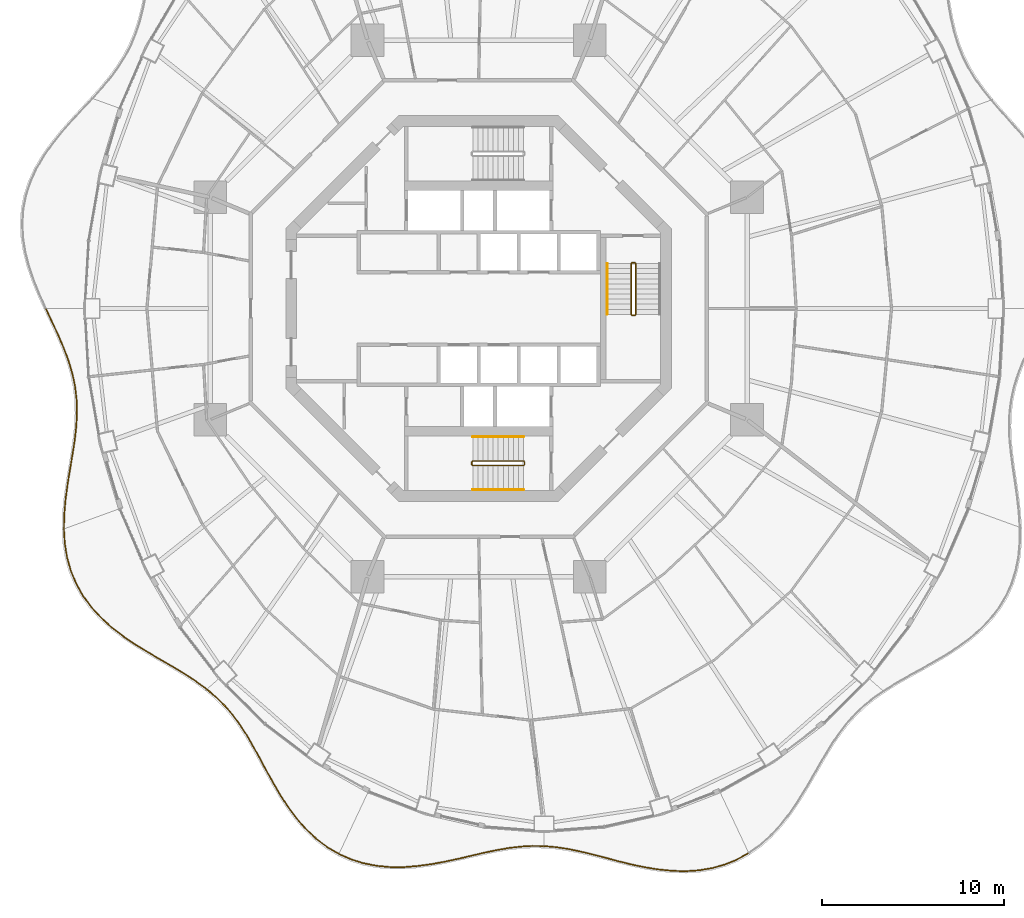
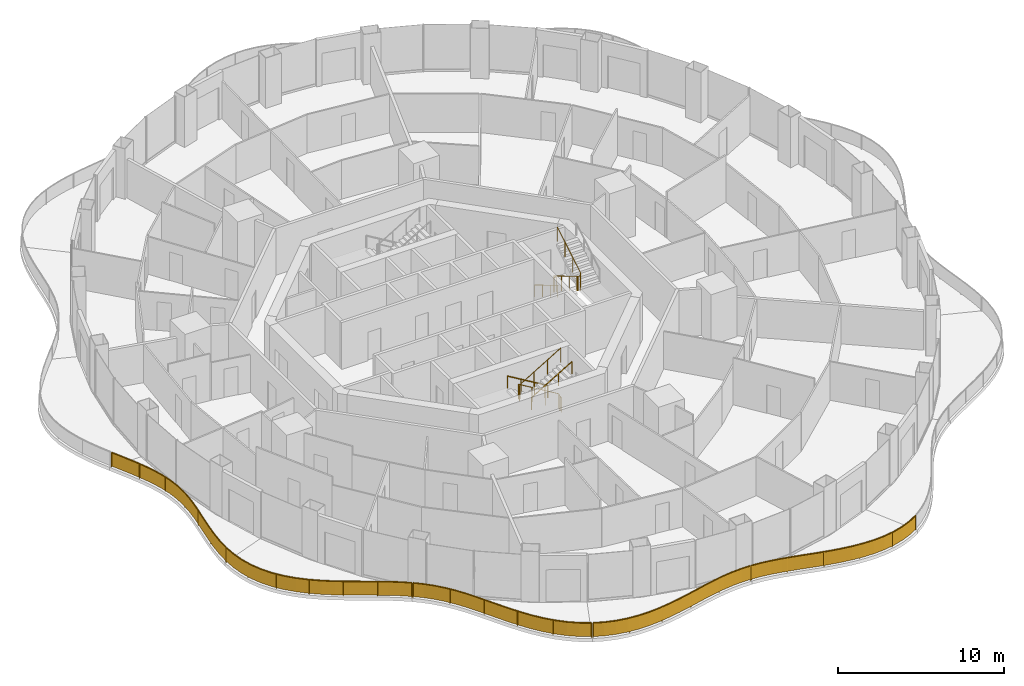
# One storey, part 17 of 19: 10 railings.
"""IFC4 building model written with IfcOpenShell, lengths in metres."""

from ifc_helpers import new_model, si_unit, direction, frame, origin, origin_2d, place, context, subcontext, project, spatial, polyline, rectangle, circle, outline, extrude, material, type_object, element, save


model = new_model("IFC4")

# Units and contexts
model_context = context("Model", 3, precision=1e-05, world=origin(), true_north=direction((0.0, 1.0)))
body_context = subcontext(model_context, "Body", "Model", "MODEL_VIEW")
ifc_project = project(units=[si_unit("LENGTHUNIT", "METRE"), si_unit("AREAUNIT", "SQUARE_METRE"), si_unit("VOLUMEUNIT", "CUBIC_METRE"), si_unit("PLANEANGLEUNIT", "RADIAN"), si_unit("MASSUNIT", "GRAM", prefix="KILO")], contexts=[model_context])

# Site, building, storey
site_placement = place(None, origin())
site = spatial("IfcSite", under=ifc_project, at=site_placement, CompositionType="ELEMENT")
building_placement = place(site_placement, origin())
building = spatial("IfcBuilding", under=site, at=building_placement, Name="Nagisa Residences", CompositionType="ELEMENT")
storey_placement = place(building_placement, frame((0.0, 0.0, 188.10009765625)))
storey = spatial("IfcBuildingStorey", under=building, at=storey_placement, Name="L47", CompositionType="ELEMENT", Elevation=188.10009765625)

# Railings
ifc_material_1 = material(Name="Stainless steel 316", Category="steel")
railing_type_1 = type_object("IfcRailingType", Name="BALCONY GUARD 1100", PredefinedType="BALUSTRADE", material=ifc_material_1)
railing_1_placement = place(storey_placement, frame((-23.831298828125, -0.0341796875, 0.0)))
element("IfcRailing", 1, at=railing_1_placement, inside=storey, type_object=railing_type_1, Name="guard:L47:bal08-0", PredefinedType="BALUSTRADE", context=body_context, shape_type="SweptSolid", body=[
    extrude(outline(polyline([(0.3544921875, -0.692626953125), (0.022705078125, 0.0107421875), (-0.022705078125, -0.0107421875), (0.30908203125, -0.713623046875), (0.646484375, -1.444091796875), (0.955078125, -2.162353515625), (1.219970703125, -2.872802734375), (1.429931640625, -3.579833984375), (1.57568359375, -4.275146484375), (1.658203125, -4.99169921875), (1.67724609375, -5.720703125), (1.6396484375, -6.466064453125), (1.5546875, -7.22998046875), (1.433837890625, -8.000732421875), (1.299072265625, -8.803466796875), (1.166259765625, -9.622314453125), (1.05322265625, -10.451904296875), (0.9794921875, -11.28564453125), (0.960693359375, -12.06982421875), (1.010498046875, -12.07080078125), (1.029296875, -11.28857421875), (1.10302734375, -10.457275390625), (1.215576171875, -9.629638671875), (1.348388671875, -8.811767578125), (1.483154296875, -8.008544921875), (1.6044921875, -7.23681640625), (1.689453125, -6.469970703125), (1.7275390625, -5.72119140625), (1.7080078125, -4.98828125), (1.625, -4.267333984375), (1.478271484375, -3.567626953125), (1.267333984375, -2.856689453125), (1.00146484375, -2.143798828125), (0.6923828125, -1.423583984375), (0.3544921875, -0.692626953125)])), frame((0.0, 0.0, 1.050048828125)), (0.0, 0.0, 1.0), 0.050048828125),
    extrude(outline(polyline([(0.338134765625, -0.7001953125), (0.00634765625, 0.0029296875), (-0.00634765625, -0.0029296875), (0.325439453125, -0.7060546875), (0.6630859375, -1.436767578125), (0.9716796875, -2.15576171875), (1.237060546875, -2.866943359375), (1.447265625, -3.575439453125), (1.593505859375, -4.2724609375), (1.676025390625, -4.990478515625), (1.6953125, -5.720947265625), (1.657470703125, -6.467529296875), (1.57275390625, -7.232421875), (1.45166015625, -8.00341796875), (1.31689453125, -8.806396484375), (1.18408203125, -9.625), (1.071044921875, -10.453857421875), (0.997314453125, -11.28662109375), (0.978515625, -12.070068359375), (0.99267578125, -12.070556640625), (1.011474609375, -11.28759765625), (1.085205078125, -10.455322265625), (1.19775390625, -9.626953125), (1.33056640625, -8.808837890625), (1.46533203125, -8.005859375), (1.58642578125, -7.234375), (1.671630859375, -6.468505859375), (1.70947265625, -5.720947265625), (1.690185546875, -4.989501953125), (1.607177734375, -4.27001953125), (1.4609375, -3.572021484375), (1.250244140625, -2.862548828125), (0.98486328125, -2.150390625), (0.67578125, -1.430908203125), (0.338134765625, -0.7001953125)])), frame((0.0, 0.0, 0.06005859375)), (0.0, 0.0, 1.0), 0.989990234375),
    extrude(rectangle(XDim=0.0400390625, YDim=0.0400390625, at=origin_2d()), origin(), (0.0, 0.0, 1.0), 1.050048828125),
    extrude(rectangle(XDim=0.0400390625, YDim=0.0400390625, at=origin_2d()), frame((0.8623046875, -1.88330078125, 0.0)), (0.0, 0.0, 1.0), 1.050048828125),
    extrude(rectangle(XDim=0.0400390625, YDim=0.0400390625, at=origin_2d()), frame((1.51123046875, -3.8466796875, 0.0)), (0.0, 0.0, 1.0), 1.050048828125),
    extrude(rectangle(XDim=0.0400390625, YDim=0.0400390625, at=origin_2d()), frame((1.693115234375, -5.903564453125, 0.0)), (0.0, 0.0, 1.0), 1.050048828125),
    extrude(rectangle(XDim=0.0400390625, YDim=0.0400390625, at=origin_2d()), frame((1.46533203125, -7.9609375, 0.0)), (0.0, 0.0, 1.0), 1.050048828125),
    extrude(rectangle(XDim=0.0400390625, YDim=0.0400390625, at=origin_2d()), frame((1.13916015625, -10.00634765625, 0.0)), (0.0, 0.0, 1.0), 1.050048828125),
    extrude(rectangle(XDim=0.0400390625, YDim=0.0400390625, at=origin_2d()), frame((0.985595703125, -12.0703125, 0.0)), (0.0, 0.0, 1.0), 1.050048828125),
])
railing_2_placement = place(storey_placement, frame((-22.844970703125, -12.181884765625, 0.0)))
element("IfcRailing", 2, at=railing_2_placement, inside=storey, type_object=railing_type_1, Name="guard:L47:bal09-0", PredefinedType="BALUSTRADE", context=body_context, shape_type="SweptSolid", body=[
    extrude(outline(polyline([(0.0693359375, -0.74365234375), (0.02490234375, 0.00146484375), (-0.02490234375, -0.00146484375), (0.01953125, -0.7490234375), (0.145263671875, -1.523681640625), (0.354248046875, -2.271240234375), (0.649169921875, -2.985107421875), (1.029296875, -3.658935546875), (1.483642578125, -4.27587890625), (2.0166015625, -4.860107421875), (2.61083984375, -5.399169921875), (3.2529296875, -5.895751953125), (3.927978515625, -6.355224609375), (4.6123046875, -6.7724609375), (5.30712890625, -7.18115234375), (5.990234375, -7.579345703125), (6.64892578125, -7.977783203125), (7.274169921875, -8.38720703125), (7.824951171875, -8.79248046875), (7.854736328125, -8.751953125), (7.302490234375, -8.34619140625), (6.67578125, -7.935302734375), (6.015625, -7.536376953125), (5.33251953125, -7.13818359375), (4.63818359375, -6.7294921875), (3.955322265625, -6.313232421875), (3.2822265625, -5.855224609375), (2.64306640625, -5.360595703125), (2.0517578125, -4.824462890625), (1.522216796875, -4.244140625), (1.0712890625, -3.631591796875), (0.694091796875, -2.963134765625), (0.401611328125, -2.255126953125), (0.194091796875, -1.512939453125), (0.0693359375, -0.74365234375)])), frame((0.0, 0.0, 1.050048828125)), (0.0, 0.0, 1.0), 0.050048828125),
    extrude(outline(polyline([(0.051513671875, -0.74560546875), (0.007080078125, 0.00048828125), (-0.007080078125, -0.00048828125), (0.037353515625, -0.7470703125), (0.162841796875, -1.519775390625), (0.371337890625, -2.265380859375), (0.665283203125, -2.977294921875), (1.04443359375, -3.649169921875), (1.49755859375, -4.264404296875), (2.029296875, -4.84716796875), (2.62255859375, -5.38525390625), (3.263427734375, -5.881103515625), (3.937744140625, -6.340087890625), (4.62158203125, -6.757080078125), (5.31640625, -7.165771484375), (5.999267578125, -7.56396484375), (6.65869140625, -7.96240234375), (7.284423828125, -8.37255859375), (7.835693359375, -8.77783203125), (7.843994140625, -8.7666015625), (7.292236328125, -8.36083984375), (6.666015625, -7.95068359375), (6.006591796875, -7.5517578125), (5.3232421875, -7.153564453125), (4.62890625, -6.744873046875), (3.945556640625, -6.328369140625), (3.271728515625, -5.869873046875), (2.63134765625, -5.37451171875), (2.0390625, -4.83740234375), (1.50830078125, -4.255615234375), (1.05615234375, -3.641357421875), (0.677978515625, -2.970947265625), (0.384521484375, -2.260986328125), (0.176513671875, -1.516845703125), (0.051513671875, -0.74560546875)])), frame((0.0, 0.0, 0.06005859375)), (0.0, 0.0, 1.0), 0.989990234375),
    extrude(rectangle(XDim=0.0400390625, YDim=0.0400390625, at=origin_2d()), origin(), (0.0, 0.0, 1.0), 1.050048828125),
    extrude(rectangle(XDim=0.0400390625, YDim=0.0400390625, at=origin_2d()), frame((0.315185546875, -2.038818359375, 0.0)), (0.0, 0.0, 1.0), 1.050048828125),
    extrude(rectangle(XDim=0.0400390625, YDim=0.0400390625, at=origin_2d()), frame((1.2265625, -3.884765625, 0.0)), (0.0, 0.0, 1.0), 1.050048828125),
    extrude(rectangle(XDim=0.0400390625, YDim=0.0400390625, at=origin_2d()), frame((2.639404296875, -5.389404296875, 0.0)), (0.0, 0.0, 1.0), 1.050048828125),
    extrude(rectangle(XDim=0.0400390625, YDim=0.0400390625, at=origin_2d()), frame((4.334716796875, -6.573974609375, 0.0)), (0.0, 0.0, 1.0), 1.050048828125),
    extrude(rectangle(XDim=0.0400390625, YDim=0.0400390625, at=origin_2d()), frame((6.116943359375, -7.626953125, 0.0)), (0.0, 0.0, 1.0), 1.050048828125),
    extrude(rectangle(XDim=0.0400390625, YDim=0.0400390625, at=origin_2d()), frame((7.83984375, -8.772216796875, 0.0)), (0.0, 0.0, 1.0), 1.050048828125),
])
railing_3_placement = place(storey_placement, frame((-14.948974609375, -20.99658203125, 0.0)))
element("IfcRailing", 3, at=railing_3_placement, inside=storey, type_object=railing_type_1, Name="guard:L47:bal10-0", PredefinedType="BALUSTRADE", context=body_context, shape_type="SweptSolid", body=[
    extrude(outline(polyline([(0.50146484375, -0.39306640625), (0.01611328125, 0.01904296875), (-0.01611328125, -0.01904296875), (0.4677734375, -0.43017578125), (0.943115234375, -0.902099609375), (1.38134765625, -1.41162109375), (1.786865234375, -1.960205078125), (2.167236328125, -2.54736328125), (2.51904296875, -3.15869140625), (2.87646484375, -3.80908203125), (3.23779296875, -4.479248046875), (3.613525390625, -5.158447265625), (4.013427734375, -5.833984375), (4.4326171875, -6.484619140625), (4.9033203125, -7.113037109375), (5.41943359375, -7.69775390625), (5.982177734375, -8.226806640625), (6.591796875, -8.689208984375), (7.2041015625, -9.0517578125), (7.2294921875, -9.0087890625), (6.61962890625, -8.647705078125), (6.014404296875, -8.188720703125), (5.45556640625, -7.6630859375), (4.9423828125, -7.081298828125), (4.4736328125, -6.455810546875), (4.055908203125, -5.8076171875), (3.656982421875, -5.133544921875), (3.28173828125, -4.455322265625), (2.92041015625, -3.78515625), (2.5625, -3.13427734375), (2.209716796875, -2.521484375), (1.827880859375, -1.931884765625), (1.42041015625, -1.38037109375), (0.979736328125, -0.867919921875), (0.50146484375, -0.39306640625)])), frame((0.0, 0.0, 1.050048828125)), (0.0, 0.0, 1.0), 0.050048828125),
    extrude(outline(polyline([(0.4892578125, -0.406494140625), (0.004638671875, 0.00537109375), (-0.004638671875, -0.00537109375), (0.47998046875, -0.416748046875), (0.956298828125, -0.889892578125), (1.3955078125, -1.400390625), (1.801513671875, -1.949951171875), (2.1826171875, -2.5380859375), (2.53466796875, -3.14990234375), (2.892333984375, -3.800537109375), (3.253662109375, -4.470703125), (3.629150390625, -5.1494140625), (4.02880859375, -5.824462890625), (4.447265625, -6.47412109375), (4.91748046875, -7.1015625), (5.432373046875, -7.685302734375), (5.99365234375, -8.213134765625), (6.601806640625, -8.67431640625), (7.213134765625, -9.036376953125), (7.220458984375, -9.024169921875), (6.609619140625, -8.66259765625), (6.0029296875, -8.202392578125), (5.442626953125, -7.675537109375), (4.92822265625, -7.0927734375), (4.458984375, -6.46630859375), (4.04052734375, -5.817138671875), (3.641357421875, -5.142578125), (3.265869140625, -4.4638671875), (2.904541015625, -3.793701171875), (2.546875, -3.14306640625), (2.1943359375, -2.53076171875), (1.813232421875, -1.942138671875), (1.40625, -1.3916015625), (0.966552734375, -0.880126953125), (0.4892578125, -0.406494140625)])), frame((0.0, 0.0, 0.06005859375)), (0.0, 0.0, 1.0), 0.989990234375),
    extrude(rectangle(XDim=0.0400390625, YDim=0.0400390625, at=origin_2d()), origin(), (0.0, 0.0, 1.0), 1.050048828125),
    extrude(rectangle(XDim=0.0400390625, YDim=0.0400390625, at=origin_2d()), frame((1.615234375, -1.686279296875, 0.0)), (0.0, 0.0, 1.0), 1.050048828125),
    extrude(rectangle(XDim=0.0400390625, YDim=0.0400390625, at=origin_2d()), frame((2.835693359375, -3.682861328125, 0.0)), (0.0, 0.0, 1.0), 1.050048828125),
    extrude(rectangle(XDim=0.0400390625, YDim=0.0400390625, at=origin_2d()), frame((3.979248046875, -5.72705078125, 0.0)), (0.0, 0.0, 1.0), 1.050048828125),
    extrude(rectangle(XDim=0.0400390625, YDim=0.0400390625, at=origin_2d()), frame((5.37109375, -7.605224609375, 0.0)), (0.0, 0.0, 1.0), 1.050048828125),
    extrude(rectangle(XDim=0.0400390625, YDim=0.0400390625, at=origin_2d()), frame((7.216796875, -9.0302734375, 0.0)), (0.0, 0.0, 1.0), 1.050048828125),
])
railing_4_placement = place(storey_placement, frame((-7.663330078125, -30.062255859375, 0.0)))
element("IfcRailing", 4, at=railing_4_placement, inside=storey, type_object=railing_type_1, Name="guard:L47:bal11-0", PredefinedType="BALUSTRADE", context=body_context, shape_type="SweptSolid", body=[
    extrude(outline(polyline([(0.6318359375, -0.2529296875), (0.01025390625, 0.02294921875), (-0.01025390625, -0.02294921875), (0.6142578125, -0.2998046875), (1.31591796875, -0.519287109375), (2.043212890625, -0.662109375), (2.78955078125, -0.7314453125), (3.546875, -0.734375), (4.29150390625, -0.673583984375), (5.050048828125, -0.57080078125), (5.80029296875, -0.433349609375), (6.537841796875, -0.27392578125), (7.259765625, -0.10693359375), (7.947021484375, 0.0576171875), (8.635009765625, 0.20166015625), (9.307861328125, 0.317626953125), (9.968505859375, 0.396728515625), (10.621337890625, 0.432861328125), (11.228759765625, 0.424560546875), (11.229248046875, 0.474365234375), (10.620361328125, 0.483154296875), (9.964111328125, 0.446533203125), (9.300537109375, 0.366943359375), (8.625732421875, 0.2509765625), (7.936279296875, 0.1064453125), (7.24853515625, -0.05810546875), (6.527099609375, -0.22509765625), (5.79052734375, -0.384033203125), (5.042236328125, -0.521484375), (4.2861328125, -0.623779296875), (3.544921875, -0.68408203125), (2.7919921875, -0.681640625), (2.050537109375, -0.6123046875), (1.328125, -0.470458984375), (0.6318359375, -0.2529296875)])), frame((0.0, 0.0, 1.050048828125)), (0.0, 0.0, 1.0), 0.050048828125),
    extrude(outline(polyline([(0.62548828125, -0.269775390625), (0.0029296875, 0.00634765625), (-0.0029296875, -0.00634765625), (0.62060546875, -0.282958984375), (1.3203125, -0.501708984375), (2.0458984375, -0.64404296875), (2.79052734375, -0.713623046875), (3.546142578125, -0.71630859375), (4.28955078125, -0.65576171875), (5.04736328125, -0.552978515625), (5.796875, -0.41552734375), (6.533935546875, -0.25634765625), (7.255859375, -0.08935546875), (7.943115234375, 0.0751953125), (8.631591796875, 0.219482421875), (9.30517578125, 0.33544921875), (9.967041015625, 0.41455078125), (10.62109375, 0.450927734375), (11.22900390625, 0.4423828125), (11.22900390625, 0.45654296875), (10.62060546875, 0.465087890625), (9.965576171875, 0.4287109375), (9.30322265625, 0.34912109375), (8.629150390625, 0.233154296875), (7.940185546875, 0.0888671875), (7.25244140625, -0.07568359375), (6.531005859375, -0.24267578125), (5.7939453125, -0.40185546875), (5.044921875, -0.539306640625), (4.2880859375, -0.6416015625), (3.545654296875, -0.7021484375), (2.791015625, -0.699462890625), (2.0478515625, -0.63037109375), (1.32373046875, -0.488037109375), (0.62548828125, -0.269775390625)])), frame((0.0, 0.0, 0.06005859375)), (0.0, 0.0, 1.0), 0.989990234375),
    extrude(rectangle(XDim=0.0400390625, YDim=0.0400390625, at=origin_2d()), origin(), (0.0, 0.0, 1.0), 1.050048828125),
    extrude(rectangle(XDim=0.0400390625, YDim=0.0400390625, at=origin_2d()), frame((2.182861328125, -0.64990234375, 0.0)), (0.0, 0.0, 1.0), 1.050048828125),
    extrude(rectangle(XDim=0.0400390625, YDim=0.0400390625, at=origin_2d()), frame((4.46533203125, -0.624755859375, 0.0)), (0.0, 0.0, 1.0), 1.050048828125),
    extrude(rectangle(XDim=0.0400390625, YDim=0.0400390625, at=origin_2d()), frame((6.71484375, -0.207275390625, 0.0)), (0.0, 0.0, 1.0), 1.050048828125),
    extrude(rectangle(XDim=0.0400390625, YDim=0.0400390625, at=origin_2d()), frame((8.950927734375, 0.281494140625, 0.0)), (0.0, 0.0, 1.0), 1.050048828125),
    extrude(rectangle(XDim=0.0400390625, YDim=0.0400390625, at=origin_2d()), frame((11.22900390625, 0.449462890625, 0.0)), (0.0, 0.0, 1.0), 1.050048828125),
])
railing_5_placement = place(storey_placement, frame((3.63427734375, -29.61669921875, 0.0)))
element("IfcRailing", 5, at=railing_5_placement, inside=storey, type_object=railing_type_1, Name="guard:L47:bal12-0", PredefinedType="BALUSTRADE", context=body_context, shape_type="SweptSolid", body=[
    extrude(outline(polyline([(0.613037109375, -0.02734375), (0.002197265625, 0.02490234375), (-0.002197265625, -0.02490234375), (0.607177734375, -0.0771484375), (1.265380859375, -0.175048828125), (1.934814453125, -0.31005859375), (2.61865234375, -0.4736328125), (3.31884765625, -0.6552734375), (4.018310546875, -0.84521484375), (4.75146484375, -1.025146484375), (5.498291015625, -1.183349609375), (6.254150390625, -1.306640625), (7.013916015625, -1.382568359375), (7.7548828125, -1.4052734375), (8.503173828125, -1.35546875), (9.234619140625, -1.231689453125), (9.9423828125, -1.030517578125), (10.61962890625, -0.7509765625), (11.21826171875, -0.41845703125), (11.19384765625, -0.37451171875), (10.59765625, -0.7060546875), (9.92578125, -0.983154296875), (9.223388671875, -1.182861328125), (8.497314453125, -1.3056640625), (7.75390625, -1.35498046875), (7.017333984375, -1.332763671875), (6.260498046875, -1.2568359375), (5.507568359375, -1.134033203125), (4.7626953125, -0.976318359375), (4.031005859375, -0.796875), (3.33154296875, -0.60693359375), (2.630859375, -0.42529296875), (1.945556640625, -0.26123046875), (1.274169921875, -0.125732421875), (0.613037109375, -0.02734375)])), frame((0.0, 0.0, 1.050048828125)), (0.0, 0.0, 1.0), 0.050048828125),
    extrude(outline(polyline([(0.61083984375, -0.04541015625), (0.00048828125, 0.007080078125), (-0.00048828125, -0.007080078125), (0.609375, -0.05908203125), (1.2685546875, -0.1572265625), (1.938720703125, -0.29248046875), (2.623046875, -0.456298828125), (3.323486328125, -0.637939453125), (4.02294921875, -0.827880859375), (4.755615234375, -1.007568359375), (5.501708984375, -1.16552734375), (6.25634765625, -1.28857421875), (7.01513671875, -1.36474609375), (7.754638671875, -1.38720703125), (8.5009765625, -1.337646484375), (9.23046875, -1.214111328125), (9.936279296875, -1.013427734375), (10.611572265625, -0.73486328125), (11.20947265625, -0.402587890625), (11.20263671875, -0.390380859375), (10.605712890625, -0.72216796875), (9.931884765625, -1.000244140625), (9.2275390625, -1.200439453125), (8.49951171875, -1.323486328125), (7.754150390625, -1.373046875), (7.01611328125, -1.3505859375), (6.25830078125, -1.27490234375), (5.504150390625, -1.15185546875), (4.758544921875, -0.993896484375), (4.0263671875, -0.814208984375), (3.326904296875, -0.624267578125), (2.62646484375, -0.442626953125), (1.941650390625, -0.27880859375), (1.27099609375, -0.1435546875), (0.61083984375, -0.04541015625)])), frame((0.0, 0.0, 0.06005859375)), (0.0, 0.0, 1.0), 0.989990234375),
    extrude(rectangle(XDim=0.0400390625, YDim=0.0400390625, at=origin_2d()), origin(), (0.0, 0.0, 1.0), 1.050048828125),
    extrude(rectangle(XDim=0.0400390625, YDim=0.0400390625, at=origin_2d()), frame((2.273681640625, -0.365478515625, 0.0)), (0.0, 0.0, 1.0), 1.050048828125),
    extrude(rectangle(XDim=0.0400390625, YDim=0.0400390625, at=origin_2d()), frame((4.507080078125, -0.939453125, 0.0)), (0.0, 0.0, 1.0), 1.050048828125),
    extrude(rectangle(XDim=0.0400390625, YDim=0.0400390625, at=origin_2d()), frame((6.776611328125, -1.333740234375, 0.0)), (0.0, 0.0, 1.0), 1.050048828125),
    extrude(rectangle(XDim=0.0400390625, YDim=0.0400390625, at=origin_2d()), frame((9.0712890625, -1.23388671875, 0.0)), (0.0, 0.0, 1.0), 1.050048828125),
    extrude(rectangle(XDim=0.0400390625, YDim=0.0400390625, at=origin_2d()), frame((11.2060546875, -0.396484375, 0.0)), (0.0, 0.0, 1.0), 1.050048828125),
])
ifc_material_2 = material(Name="Stainless steel", Category="steel")
railing_type_2 = type_object("IfcRailingType", Name="Stair guard 1100", PredefinedType="GUARDRAIL", material=ifc_material_2)
railing_6_placement = place(storey_placement, frame((8.599609375, 2.52490234375, 0.0)))
element("IfcRailing", 6, at=railing_6_placement, inside=storey, type_object=railing_type_2, Name="L47 ST-E stair guard 1", PredefinedType="GUARDRAIL", context=body_context, shape_type="SweptSolid", body=[
    extrude(circle(Radius=0.02392578125, at=origin_2d()), frame((0.0, 0.0, 1.076171875), z_axis=(-1.0, 0.0, 0.0), x_axis=(0.0, -1.0, 0.0)), (0.0, 0.0, 1.0), 0.14990234375),
    extrude(circle(Radius=0.02392578125, at=origin_2d()), frame((-0.14990234375, 0.0, 1.076171875), z_axis=(-0.274683208305, -0.273343290215, 0.921863645432), x_axis=(0.705375805398, -0.708833529934, 0.0)), (0.0, 0.0, 1.0), 0.18212890625),
    extrude(circle(Radius=0.02392578125, at=origin_2d()), frame((-0.199951171875, -0.0498046875, 1.244140625), z_axis=(0.0, -0.857242210791, 0.514913383045), x_axis=(1.0, 0.0, 0.0)), (0.0, 0.0, 1.0), 3.266357421875),
    extrude(circle(Radius=0.02392578125, at=origin_2d()), frame((-0.199951171875, -2.849853515625, 2.92578125), z_axis=(0.707106781187, -0.707106781187, 0.0), x_axis=(0.707106781187, 0.707106781187, 0.0)), (0.0, 0.0, 1.0), 0.07080078125),
    extrude(circle(Radius=0.02392578125, at=origin_2d()), frame((-0.14990234375, -2.89990234375, 2.92578125), z_axis=(1.0, 0.0, 0.0), x_axis=(0.0, 1.0, 0.0)), (0.0, 0.0, 1.0), 0.14990234375),
    extrude(circle(Radius=0.02392578125, at=origin_2d()), frame((0.0, -2.89990234375, 2.92578125), z_axis=(0.274243871929, 0.274243871929, 0.92172696468), x_axis=(-0.707106781187, 0.707106781187, 0.0)), (0.0, 0.0, 1.0), 0.1826171875),
    extrude(circle(Radius=0.02392578125, at=origin_2d()), frame((0.050048828125, -2.849853515625, 3.09423828125), z_axis=(0.0, 0.857242210791, 0.514913383045), x_axis=(-1.0, 0.0, 0.0)), (0.0, 0.0, 1.0), 3.266357421875),
    extrude(circle(Radius=0.02099609375, at=origin_2d()), origin(), (0.0, 0.0, 1.0), 1.052001953125),
    extrude(circle(Radius=0.02099609375, at=origin_2d()), frame((-0.14990234375, 0.0, 0.0)), (0.0, 0.0, 1.0), 1.052001953125),
    extrude(circle(Radius=0.02099609375, at=origin_2d()), frame((-0.199951171875, -0.0498046875, 0.16796875)), (0.0, 0.0, 1.0), 1.052001953125),
    extrude(circle(Radius=0.02099609375, at=origin_2d()), frame((-0.199951171875, -0.983154296875, 0.728515625)), (0.0, 0.0, 1.0), 1.052001953125),
    extrude(circle(Radius=0.02099609375, at=origin_2d()), frame((-0.199951171875, -1.91650390625, 1.289306640625)), (0.0, 0.0, 1.0), 1.052001953125),
    extrude(circle(Radius=0.02099609375, at=origin_2d()), frame((-0.199951171875, -2.849853515625, 1.849853515625)), (0.0, 0.0, 1.0), 1.052001953125),
    extrude(circle(Radius=0.02099609375, at=origin_2d()), frame((-0.14990234375, -2.89990234375, 1.849853515625)), (0.0, 0.0, 1.0), 1.052001953125),
    extrude(circle(Radius=0.02099609375, at=origin_2d()), frame((0.0, -2.89990234375, 1.849853515625)), (0.0, 0.0, 1.0), 1.052001953125),
    extrude(circle(Radius=0.02099609375, at=origin_2d()), frame((0.050048828125, -2.849853515625, 2.01806640625)), (0.0, 0.0, 1.0), 1.052001953125),
    extrude(circle(Radius=0.02099609375, at=origin_2d()), frame((0.050048828125, -1.91650390625, 2.57861328125)), (0.0, 0.0, 1.0), 1.052001953125),
    extrude(circle(Radius=0.02099609375, at=origin_2d()), frame((0.050048828125, -0.983154296875, 3.139404296875)), (0.0, 0.0, 1.0), 1.052001953125),
    extrude(circle(Radius=0.02099609375, at=origin_2d()), frame((0.050048828125, -0.0498046875, 3.699951171875)), (0.0, 0.0, 1.0), 1.052001953125),
])
railing_7_placement = place(storey_placement, frame((2.52490234375, -8.599609375, 0.0)))
element("IfcRailing", 7, at=railing_7_placement, inside=storey, type_object=railing_type_2, Name="L47 ST-S stair guard 1", PredefinedType="GUARDRAIL", context=body_context, shape_type="SweptSolid", body=[
    extrude(circle(Radius=0.02392578125, at=origin_2d()), frame((0.0, 0.0, 1.076171875), z_axis=(0.0, 1.0, 0.0), x_axis=(-1.0, 0.0, 0.0)), (0.0, 0.0, 1.0), 0.14990234375),
    extrude(circle(Radius=0.02392578125, at=origin_2d()), frame((0.0, 0.14990234375, 1.076171875), z_axis=(-0.273343290215, 0.274683208305, 0.921863645432), x_axis=(-0.708833529934, -0.705375805398, 0.0)), (0.0, 0.0, 1.0), 0.18212890625),
    extrude(circle(Radius=0.02392578125, at=origin_2d()), frame((-0.0498046875, 0.199951171875, 1.244140625), z_axis=(-0.857242210791, 0.0, 0.514913383045), x_axis=(0.0, -1.0, 0.0)), (0.0, 0.0, 1.0), 3.266357421875),
    extrude(circle(Radius=0.02392578125, at=origin_2d()), frame((-2.849853515625, 0.199951171875, 2.92578125), z_axis=(-0.707106781187, -0.707106781187, 0.0), x_axis=(0.707106781187, -0.707106781187, 0.0)), (0.0, 0.0, 1.0), 0.07080078125),
    extrude(circle(Radius=0.02392578125, at=origin_2d()), frame((-2.89990234375, 0.14990234375, 2.92578125), z_axis=(0.0, -1.0, 0.0), x_axis=(1.0, 0.0, 0.0)), (0.0, 0.0, 1.0), 0.14990234375),
    extrude(circle(Radius=0.02392578125, at=origin_2d()), frame((-2.89990234375, 0.0, 2.92578125), z_axis=(0.274243871929, -0.274243871929, 0.92172696468), x_axis=(0.707106781187, 0.707106781187, 0.0)), (0.0, 0.0, 1.0), 0.1826171875),
    extrude(circle(Radius=0.02392578125, at=origin_2d()), frame((-2.849853515625, -0.050048828125, 3.09423828125), z_axis=(0.857242210791, 0.0, 0.514913383045), x_axis=(0.0, 1.0, 0.0)), (0.0, 0.0, 1.0), 3.266357421875),
    extrude(circle(Radius=0.02099609375, at=origin_2d()), origin(), (0.0, 0.0, 1.0), 1.052001953125),
    extrude(circle(Radius=0.02099609375, at=origin_2d()), frame((0.0, 0.14990234375, 0.0)), (0.0, 0.0, 1.0), 1.052001953125),
    extrude(circle(Radius=0.02099609375, at=origin_2d()), frame((-0.0498046875, 0.199951171875, 0.16796875)), (0.0, 0.0, 1.0), 1.052001953125),
    extrude(circle(Radius=0.02099609375, at=origin_2d()), frame((-0.983154296875, 0.199951171875, 0.728515625)), (0.0, 0.0, 1.0), 1.052001953125),
    extrude(circle(Radius=0.02099609375, at=origin_2d()), frame((-1.91650390625, 0.199951171875, 1.289306640625)), (0.0, 0.0, 1.0), 1.052001953125),
    extrude(circle(Radius=0.02099609375, at=origin_2d()), frame((-2.849853515625, 0.199951171875, 1.849853515625)), (0.0, 0.0, 1.0), 1.052001953125),
    extrude(circle(Radius=0.02099609375, at=origin_2d()), frame((-2.89990234375, 0.14990234375, 1.849853515625)), (0.0, 0.0, 1.0), 1.052001953125),
    extrude(circle(Radius=0.02099609375, at=origin_2d()), frame((-2.89990234375, 0.0, 1.849853515625)), (0.0, 0.0, 1.0), 1.052001953125),
    extrude(circle(Radius=0.02099609375, at=origin_2d()), frame((-2.849853515625, -0.050048828125, 2.01806640625)), (0.0, 0.0, 1.0), 1.052001953125),
    extrude(circle(Radius=0.02099609375, at=origin_2d()), frame((-1.91650390625, -0.050048828125, 2.57861328125)), (0.0, 0.0, 1.0), 1.052001953125),
    extrude(circle(Radius=0.02099609375, at=origin_2d()), frame((-0.983154296875, -0.050048828125, 3.139404296875)), (0.0, 0.0, 1.0), 1.052001953125),
    extrude(circle(Radius=0.02099609375, at=origin_2d()), frame((-0.0498046875, -0.050048828125, 3.699951171875)), (0.0, 0.0, 1.0), 1.052001953125),
])
ifc_material_3 = material(Name="Stainless steel", Category="steel")
railing_type_3 = type_object("IfcRailingType", Name="Stair handrail 900", PredefinedType="HANDRAIL", material=ifc_material_3)
railing_8_placement = place(storey_placement, frame((7.07470703125, 2.47509765625, 0.16796875)))
element("IfcRailing", 8, at=railing_8_placement, inside=storey, type_object=railing_type_3, Name="L47 ST-E stair handrail 1", PredefinedType="HANDRAIL", context=body_context, shape_type="SweptSolid", body=[
    extrude(circle(Radius=0.02392578125, at=origin_2d()), frame((0.0, 0.0, 0.8759765625), z_axis=(0.0, -0.857242210791, 0.514913383045), x_axis=(1.0, 0.0, 0.0)), (0.0, 0.0, 1.0), 3.266357421875),
    extrude(circle(Radius=0.02099609375, at=origin_2d()), origin(), (0.0, 0.0, 1.0), 0.851806640625),
    extrude(circle(Radius=0.02099609375, at=origin_2d()), frame((0.0, -0.933349609375, 0.560546875)), (0.0, 0.0, 1.0), 0.851806640625),
    extrude(circle(Radius=0.02099609375, at=origin_2d()), frame((0.0, -1.86669921875, 1.121337890625)), (0.0, 0.0, 1.0), 0.851806640625),
    extrude(circle(Radius=0.02099609375, at=origin_2d()), frame((0.0, -2.800048828125, 1.681884765625)), (0.0, 0.0, 1.0), 0.851806640625),
])
railing_9_placement = place(storey_placement, frame((2.47509765625, -7.07470703125, 0.16796875)))
element("IfcRailing", 9, at=railing_9_placement, inside=storey, type_object=railing_type_3, Name="L47 ST-S stair handrail 1", PredefinedType="HANDRAIL", context=body_context, shape_type="SweptSolid", body=[
    extrude(circle(Radius=0.02392578125, at=origin_2d()), frame((0.0, 0.0, 0.8759765625), z_axis=(-0.857242210791, 0.0, 0.514913383045), x_axis=(0.0, -1.0, 0.0)), (0.0, 0.0, 1.0), 3.266357421875),
    extrude(circle(Radius=0.02099609375, at=origin_2d()), origin(), (0.0, 0.0, 1.0), 0.851806640625),
    extrude(circle(Radius=0.02099609375, at=origin_2d()), frame((-0.933349609375, 0.0, 0.560546875)), (0.0, 0.0, 1.0), 0.851806640625),
    extrude(circle(Radius=0.02099609375, at=origin_2d()), frame((-1.86669921875, 0.0, 1.121337890625)), (0.0, 0.0, 1.0), 0.851806640625),
    extrude(circle(Radius=0.02099609375, at=origin_2d()), frame((-2.800048828125, 0.0, 1.681884765625)), (0.0, 0.0, 1.0), 0.851806640625),
])
railing_10_placement = place(storey_placement, frame((-0.324951171875, -9.974609375, 2.01806640625)))
element("IfcRailing", 10, at=railing_10_placement, inside=storey, type_object=railing_type_3, Name="L47 ST-S stair handrail 2", PredefinedType="HANDRAIL", context=body_context, shape_type="SweptSolid", body=[
    extrude(circle(Radius=0.02392578125, at=origin_2d()), frame((0.0, 0.0, 0.8759765625), z_axis=(0.857242210791, 0.0, 0.514913383045), x_axis=(0.0, 1.0, 0.0)), (0.0, 0.0, 1.0), 3.266357421875),
    extrude(circle(Radius=0.02099609375, at=origin_2d()), origin(), (0.0, 0.0, 1.0), 0.851806640625),
    extrude(circle(Radius=0.02099609375, at=origin_2d()), frame((0.933349609375, 0.0, 0.560546875)), (0.0, 0.0, 1.0), 0.851806640625),
    extrude(circle(Radius=0.02099609375, at=origin_2d()), frame((1.86669921875, 0.0, 1.121337890625)), (0.0, 0.0, 1.0), 0.851806640625),
    extrude(circle(Radius=0.02099609375, at=origin_2d()), frame((2.800048828125, 0.0, 1.681884765625)), (0.0, 0.0, 1.0), 0.851806640625),
])

save(model, "model.ifc")
